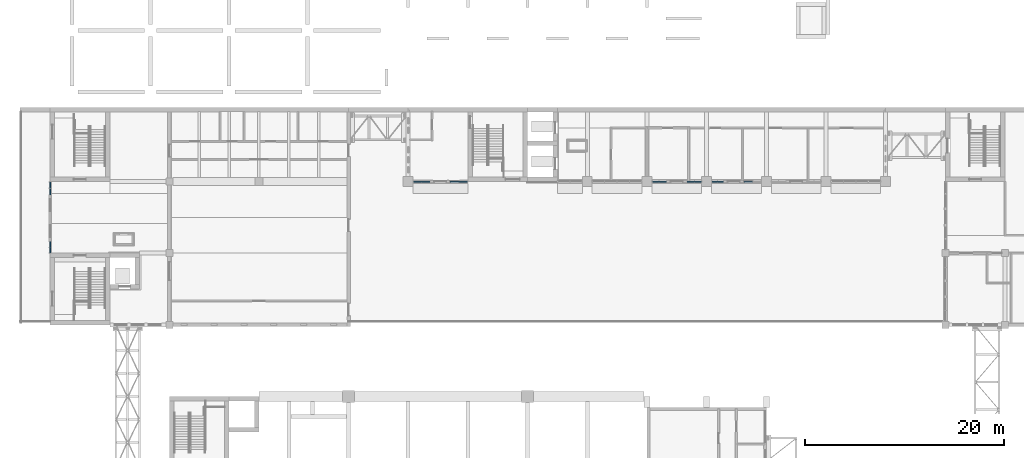
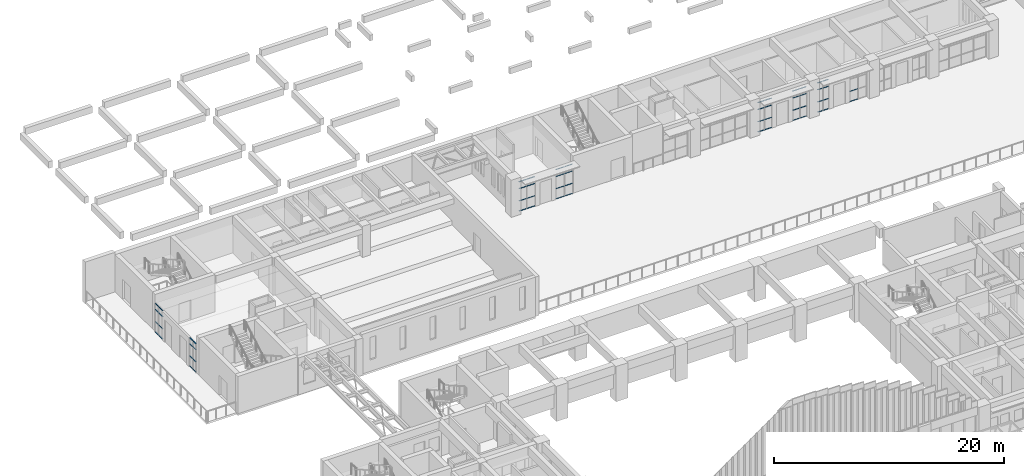
# One storey, part 44 of 103: 58 members, 8 elements without a shape of their own.
"""IFC4 building model written with IfcOpenShell, lengths in metres."""

from ifc_helpers import new_model, si_unit, direction, frame, origin, origin_2d, place, context, subcontext, project, spatial, hollow_rectangle, extrude, material, material_profile, profile_set, type_object, element, aggregate, save


model = new_model("IFC4")

# Units and contexts
model_context = context("Model", 3, precision=1e-05, world=origin(), true_north=direction((0.0, 1.0)))
body_context = subcontext(model_context, "Body", "Model", "MODEL_VIEW")
ifc_project = project(units=[si_unit("LENGTHUNIT", "METRE"), si_unit("AREAUNIT", "SQUARE_METRE"), si_unit("VOLUMEUNIT", "CUBIC_METRE"), si_unit("PLANEANGLEUNIT", "RADIAN"), si_unit("MASSUNIT", "GRAM", prefix="KILO")], contexts=[model_context])

# Site, building, storey
site_placement = place(None, origin())
site = spatial("IfcSite", under=ifc_project, at=site_placement, CompositionType="ELEMENT")
building_placement = place(site_placement, origin())
building = spatial("IfcBuilding", under=site, at=building_placement, Name="Laocheng Heights Fire and Rescue Headquarters", CompositionType="ELEMENT")
storey_placement = place(building_placement, frame((0.0, 0.0, 4.199951171875)))
storey = spatial("IfcBuildingStorey", under=building, at=storey_placement, Name="L01", CompositionType="ELEMENT", Elevation=4.199951171875)

# Curtain wall, members
ifc_material_1 = material(Name="Dark anodised aluminium unitised curtain wall, low-e double glazing", Category="aluminium")
curtain_wall_type_1 = type_object("IfcCurtainWallType", Name="CW 1150 x 3050 FOYER GLAZING", PredefinedType="NOTDEFINED", material=ifc_material_1)
curtain_wall_1_placement = place(storey_placement, origin())
curtain_wall_1 = element("IfcCurtainWall", 1, at=curtain_wall_1_placement, inside=storey, type_object=curtain_wall_type_1, Name="X1-V FOYER WEST L01", PredefinedType="NOTDEFINED")
ifc_material_2 = material(Name="Dark anodised aluminium 6063-T5 extrusion", Category="aluminium")
ifc_material_profile_1 = material_profile(ifc_material_2, hollow_rectangle(XDim=0.10009765625, YDim=0.050048828125, WallThickness=0.0029296875, at=origin_2d()), Name="AL TRANSOM 100x50x3 FOYER GLAZING")
ifc_profile_set_1 = profile_set([ifc_material_profile_1], Name="Dark anodised aluminium 6063-T5 extrusion")
member_type_1 = type_object("IfcMemberType", Name="AL TRANSOM 100x50x3 FOYER GLAZING", PredefinedType="USERDEFINED", material=ifc_profile_set_1)
member_1_placement = place(storey_placement, frame((0.0, 43.260009765625, 0.025146484375), z_axis=(0.0, 1.0, 0.0), x_axis=(-1.0, 0.0, 0.0)))
member_1 = element("IfcMember", 2, at=member_1_placement, type_object=member_type_1, Name="X1-V transom 1.1", ObjectType="TRANSOM", PredefinedType="USERDEFINED", context=body_context, shape_type="SweptSolid", body=[
    extrude(hollow_rectangle(XDim=0.10009765625, YDim=0.050048828125, WallThickness=0.0029296875, at=origin_2d()), origin(), (0.0, 0.0, 1.0), 0.485107421875),
])
member_2_placement = place(storey_placement, frame((0.0, 43.260009765625, 1.10009765625), z_axis=(0.0, 1.0, 0.0), x_axis=(-1.0, 0.0, 0.0)))
member_2 = element("IfcMember", 3, at=member_2_placement, type_object=member_type_1, Name="X1-V transom 1.2", ObjectType="TRANSOM", PredefinedType="USERDEFINED", context=body_context, shape_type="SweptSolid", body=[
    extrude(hollow_rectangle(XDim=0.10009765625, YDim=0.050048828125, WallThickness=0.0029296875, at=origin_2d()), origin(), (0.0, 0.0, 1.0), 0.485107421875),
])
member_3_placement = place(storey_placement, frame((0.0, 43.260009765625, 2.400146484375), z_axis=(0.0, 1.0, 0.0), x_axis=(-1.0, 0.0, 0.0)))
member_3 = element("IfcMember", 4, at=member_3_placement, type_object=member_type_1, Name="X1-V transom 1.3", ObjectType="TRANSOM", PredefinedType="USERDEFINED", context=body_context, shape_type="SweptSolid", body=[
    extrude(hollow_rectangle(XDim=0.10009765625, YDim=0.050048828125, WallThickness=0.0029296875, at=origin_2d()), origin(), (0.0, 0.0, 1.0), 0.485107421875),
])
member_4_placement = place(storey_placement, frame((0.0, 43.260009765625, 3.025146484375), z_axis=(0.0, 1.0, 0.0), x_axis=(-1.0, 0.0, 0.0)))
member_4 = element("IfcMember", 5, at=member_4_placement, type_object=member_type_1, Name="X1-V transom 1.4", ObjectType="TRANSOM", PredefinedType="USERDEFINED", context=body_context, shape_type="SweptSolid", body=[
    extrude(hollow_rectangle(XDim=0.10009765625, YDim=0.050048828125, WallThickness=0.0029296875, at=origin_2d()), origin(), (0.0, 0.0, 1.0), 0.485107421875),
])
member_5_placement = place(storey_placement, frame((0.0, 43.804931640625, 0.025146484375), z_axis=(0.0, 1.0, 0.0), x_axis=(-1.0, 0.0, 0.0)))
member_5 = element("IfcMember", 6, at=member_5_placement, type_object=member_type_1, Name="X1-V transom 2.1", ObjectType="TRANSOM", PredefinedType="USERDEFINED", context=body_context, shape_type="SweptSolid", body=[
    extrude(hollow_rectangle(XDim=0.10009765625, YDim=0.050048828125, WallThickness=0.0029296875, at=origin_2d()), origin(), (0.0, 0.0, 1.0), 0.545166015625),
])
member_6_placement = place(storey_placement, frame((0.0, 43.804931640625, 1.10009765625), z_axis=(0.0, 1.0, 0.0), x_axis=(-1.0, 0.0, 0.0)))
member_6 = element("IfcMember", 7, at=member_6_placement, type_object=member_type_1, Name="X1-V transom 2.2", ObjectType="TRANSOM", PredefinedType="USERDEFINED", context=body_context, shape_type="SweptSolid", body=[
    extrude(hollow_rectangle(XDim=0.10009765625, YDim=0.050048828125, WallThickness=0.0029296875, at=origin_2d()), origin(), (0.0, 0.0, 1.0), 0.545166015625),
])
member_7_placement = place(storey_placement, frame((0.0, 43.804931640625, 2.400146484375), z_axis=(0.0, 1.0, 0.0), x_axis=(-1.0, 0.0, 0.0)))
member_7 = element("IfcMember", 8, at=member_7_placement, type_object=member_type_1, Name="X1-V transom 2.3", ObjectType="TRANSOM", PredefinedType="USERDEFINED", context=body_context, shape_type="SweptSolid", body=[
    extrude(hollow_rectangle(XDim=0.10009765625, YDim=0.050048828125, WallThickness=0.0029296875, at=origin_2d()), origin(), (0.0, 0.0, 1.0), 0.545166015625),
])
member_8_placement = place(storey_placement, frame((0.0, 43.804931640625, 3.025146484375), z_axis=(0.0, 1.0, 0.0), x_axis=(-1.0, 0.0, 0.0)))
member_8 = element("IfcMember", 9, at=member_8_placement, type_object=member_type_1, Name="X1-V transom 2.4", ObjectType="TRANSOM", PredefinedType="USERDEFINED", context=body_context, shape_type="SweptSolid", body=[
    extrude(hollow_rectangle(XDim=0.10009765625, YDim=0.050048828125, WallThickness=0.0029296875, at=origin_2d()), origin(), (0.0, 0.0, 1.0), 0.545166015625),
])
aggregate(curtain_wall_1, [member_1, member_2, member_3, member_4, member_5, member_6, member_7, member_8])

ifc_material_3 = material(Name="Dark anodised aluminium unitised curtain wall, low-e double glazing", Category="aluminium")
curtain_wall_type_2 = type_object("IfcCurtainWallType", Name="CW 1350 x 3050 FOYER GLAZING", PredefinedType="NOTDEFINED", material=ifc_material_3)
curtain_wall_2_placement = place(storey_placement, origin())
curtain_wall_2 = element("IfcCurtainWall", 10, at=curtain_wall_2_placement, inside=storey, type_object=curtain_wall_type_2, Name="X2-V FOYER WEST L01", PredefinedType="NOTDEFINED")
member_9_placement = place(storey_placement, frame((0.0, 49.050048828125, 0.025146484375), z_axis=(0.0, 1.0, 0.0), x_axis=(-1.0, 0.0, 0.0)))
member_9 = element("IfcMember", 11, at=member_9_placement, type_object=member_type_1, Name="X2-V transom 1.1", ObjectType="TRANSOM", PredefinedType="USERDEFINED", context=body_context, shape_type="SweptSolid", body=[
    extrude(hollow_rectangle(XDim=0.10009765625, YDim=0.050048828125, WallThickness=0.0029296875, at=origin_2d()), origin(), (0.0, 0.0, 1.0), 0.64501953125),
])
member_10_placement = place(storey_placement, frame((0.0, 49.050048828125, 1.10009765625), z_axis=(0.0, 1.0, 0.0), x_axis=(-1.0, 0.0, 0.0)))
member_10 = element("IfcMember", 12, at=member_10_placement, type_object=member_type_1, Name="X2-V transom 1.2", ObjectType="TRANSOM", PredefinedType="USERDEFINED", context=body_context, shape_type="SweptSolid", body=[
    extrude(hollow_rectangle(XDim=0.10009765625, YDim=0.050048828125, WallThickness=0.0029296875, at=origin_2d()), origin(), (0.0, 0.0, 1.0), 0.64501953125),
])
member_11_placement = place(storey_placement, frame((0.0, 49.050048828125, 2.400146484375), z_axis=(0.0, 1.0, 0.0), x_axis=(-1.0, 0.0, 0.0)))
member_11 = element("IfcMember", 13, at=member_11_placement, type_object=member_type_1, Name="X2-V transom 1.3", ObjectType="TRANSOM", PredefinedType="USERDEFINED", context=body_context, shape_type="SweptSolid", body=[
    extrude(hollow_rectangle(XDim=0.10009765625, YDim=0.050048828125, WallThickness=0.0029296875, at=origin_2d()), origin(), (0.0, 0.0, 1.0), 0.64501953125),
])
member_12_placement = place(storey_placement, frame((0.0, 49.050048828125, 3.025146484375), z_axis=(0.0, 1.0, 0.0), x_axis=(-1.0, 0.0, 0.0)))
member_12 = element("IfcMember", 14, at=member_12_placement, type_object=member_type_1, Name="X2-V transom 1.4", ObjectType="TRANSOM", PredefinedType="USERDEFINED", context=body_context, shape_type="SweptSolid", body=[
    extrude(hollow_rectangle(XDim=0.10009765625, YDim=0.050048828125, WallThickness=0.0029296875, at=origin_2d()), origin(), (0.0, 0.0, 1.0), 0.64501953125),
])
member_13_placement = place(storey_placement, frame((0.0, 49.7548828125, 0.025146484375), z_axis=(0.0, 1.0, 0.0), x_axis=(-1.0, 0.0, 0.0)))
member_13 = element("IfcMember", 15, at=member_13_placement, type_object=member_type_1, Name="X2-V transom 2.1", ObjectType="TRANSOM", PredefinedType="USERDEFINED", context=body_context, shape_type="SweptSolid", body=[
    extrude(hollow_rectangle(XDim=0.10009765625, YDim=0.050048828125, WallThickness=0.0029296875, at=origin_2d()), origin(), (0.0, 0.0, 1.0), 0.585205078125),
])
member_14_placement = place(storey_placement, frame((0.0, 49.7548828125, 1.10009765625), z_axis=(0.0, 1.0, 0.0), x_axis=(-1.0, 0.0, 0.0)))
member_14 = element("IfcMember", 16, at=member_14_placement, type_object=member_type_1, Name="X2-V transom 2.2", ObjectType="TRANSOM", PredefinedType="USERDEFINED", context=body_context, shape_type="SweptSolid", body=[
    extrude(hollow_rectangle(XDim=0.10009765625, YDim=0.050048828125, WallThickness=0.0029296875, at=origin_2d()), origin(), (0.0, 0.0, 1.0), 0.585205078125),
])
member_15_placement = place(storey_placement, frame((0.0, 49.7548828125, 2.400146484375), z_axis=(0.0, 1.0, 0.0), x_axis=(-1.0, 0.0, 0.0)))
member_15 = element("IfcMember", 17, at=member_15_placement, type_object=member_type_1, Name="X2-V transom 2.3", ObjectType="TRANSOM", PredefinedType="USERDEFINED", context=body_context, shape_type="SweptSolid", body=[
    extrude(hollow_rectangle(XDim=0.10009765625, YDim=0.050048828125, WallThickness=0.0029296875, at=origin_2d()), origin(), (0.0, 0.0, 1.0), 0.585205078125),
])
member_16_placement = place(storey_placement, frame((0.0, 49.7548828125, 3.025146484375), z_axis=(0.0, 1.0, 0.0), x_axis=(-1.0, 0.0, 0.0)))
member_16 = element("IfcMember", 18, at=member_16_placement, type_object=member_type_1, Name="X2-V transom 2.4", ObjectType="TRANSOM", PredefinedType="USERDEFINED", context=body_context, shape_type="SweptSolid", body=[
    extrude(hollow_rectangle(XDim=0.10009765625, YDim=0.050048828125, WallThickness=0.0029296875, at=origin_2d()), origin(), (0.0, 0.0, 1.0), 0.585205078125),
])
aggregate(curtain_wall_2, [member_9, member_10, member_11, member_12, member_13, member_14, member_15, member_16])

ifc_material_4 = material(Name="Dark anodised aluminium unitised curtain wall, low-e double glazing", Category="aluminium")
curtain_wall_type_3 = type_object("IfcCurtainWallType", Name="CW 1650 x 3150 HQ SOUTH RIBBON", PredefinedType="NOTDEFINED", material=ifc_material_4)
curtain_wall_3_placement = place(storey_placement, origin())
curtain_wall_3 = element("IfcCurtainWall", 19, at=curtain_wall_3_placement, inside=storey, type_object=curtain_wall_type_3, Name="X1-X HQ SOUTH L01", PredefinedType="NOTDEFINED")
ifc_material_5 = material(Name="Dark anodised aluminium 6063-T5 extrusion", Category="aluminium")
ifc_material_profile_2 = material_profile(ifc_material_5, hollow_rectangle(XDim=0.10009765625, YDim=0.050048828125, WallThickness=0.0029296875, at=origin_2d()), Name="AL TRANSOM 100x50x3 HQ SOUTH RIBBON")
ifc_profile_set_2 = profile_set([ifc_material_profile_2], Name="Dark anodised aluminium 6063-T5 extrusion")
member_type_2 = type_object("IfcMemberType", Name="AL TRANSOM 100x50x3 HQ SOUTH RIBBON", PredefinedType="USERDEFINED", material=ifc_profile_set_2)
member_17_placement = place(storey_placement, frame((36.56005859375, 50.39990234375, 0.025146484375), z_axis=(1.0, 0.0, 0.0), x_axis=(0.0, 1.0, 0.0)))
member_17 = element("IfcMember", 20, at=member_17_placement, type_object=member_type_2, Name="X1-X transom 1.1", ObjectType="TRANSOM", PredefinedType="USERDEFINED", context=body_context, shape_type="SweptSolid", body=[
    extrude(hollow_rectangle(XDim=0.10009765625, YDim=0.050048828125, WallThickness=0.0029296875, at=origin_2d()), origin(), (0.0, 0.0, 1.0), 0.73486328125),
])
member_18_placement = place(storey_placement, frame((36.56005859375, 50.39990234375, 1.10009765625), z_axis=(1.0, 0.0, 0.0), x_axis=(0.0, 1.0, 0.0)))
member_18 = element("IfcMember", 21, at=member_18_placement, type_object=member_type_2, Name="X1-X transom 1.2", ObjectType="TRANSOM", PredefinedType="USERDEFINED", context=body_context, shape_type="SweptSolid", body=[
    extrude(hollow_rectangle(XDim=0.10009765625, YDim=0.050048828125, WallThickness=0.0029296875, at=origin_2d()), origin(), (0.0, 0.0, 1.0), 0.73486328125),
])
member_19_placement = place(storey_placement, frame((36.56005859375, 50.39990234375, 2.400146484375), z_axis=(1.0, 0.0, 0.0), x_axis=(0.0, 1.0, 0.0)))
member_19 = element("IfcMember", 22, at=member_19_placement, type_object=member_type_2, Name="X1-X transom 1.3", ObjectType="TRANSOM", PredefinedType="USERDEFINED", context=body_context, shape_type="SweptSolid", body=[
    extrude(hollow_rectangle(XDim=0.10009765625, YDim=0.050048828125, WallThickness=0.0029296875, at=origin_2d()), origin(), (0.0, 0.0, 1.0), 0.73486328125),
])
member_20_placement = place(storey_placement, frame((36.56005859375, 50.39990234375, 3.125), z_axis=(1.0, 0.0, 0.0), x_axis=(0.0, 1.0, 0.0)))
member_20 = element("IfcMember", 23, at=member_20_placement, type_object=member_type_2, Name="X1-X transom 1.4", ObjectType="TRANSOM", PredefinedType="USERDEFINED", context=body_context, shape_type="SweptSolid", body=[
    extrude(hollow_rectangle(XDim=0.10009765625, YDim=0.050048828125, WallThickness=0.0029296875, at=origin_2d()), origin(), (0.0, 0.0, 1.0), 0.73486328125),
])
member_21_placement = place(storey_placement, frame((37.35498046875, 50.39990234375, 0.025146484375), z_axis=(1.0, 0.0, 0.0), x_axis=(0.0, 1.0, 0.0)))
member_21 = element("IfcMember", 24, at=member_21_placement, type_object=member_type_2, Name="X1-X transom 2.1", ObjectType="TRANSOM", PredefinedType="USERDEFINED", context=body_context, shape_type="SweptSolid", body=[
    extrude(hollow_rectangle(XDim=0.10009765625, YDim=0.050048828125, WallThickness=0.0029296875, at=origin_2d()), origin(), (0.0, 0.0, 1.0), 0.794921875),
])
member_22_placement = place(storey_placement, frame((37.35498046875, 50.39990234375, 1.10009765625), z_axis=(1.0, 0.0, 0.0), x_axis=(0.0, 1.0, 0.0)))
member_22 = element("IfcMember", 25, at=member_22_placement, type_object=member_type_2, Name="X1-X transom 2.2", ObjectType="TRANSOM", PredefinedType="USERDEFINED", context=body_context, shape_type="SweptSolid", body=[
    extrude(hollow_rectangle(XDim=0.10009765625, YDim=0.050048828125, WallThickness=0.0029296875, at=origin_2d()), origin(), (0.0, 0.0, 1.0), 0.794921875),
])
member_23_placement = place(storey_placement, frame((37.35498046875, 50.39990234375, 2.400146484375), z_axis=(1.0, 0.0, 0.0), x_axis=(0.0, 1.0, 0.0)))
member_23 = element("IfcMember", 26, at=member_23_placement, type_object=member_type_2, Name="X1-X transom 2.3", ObjectType="TRANSOM", PredefinedType="USERDEFINED", context=body_context, shape_type="SweptSolid", body=[
    extrude(hollow_rectangle(XDim=0.10009765625, YDim=0.050048828125, WallThickness=0.0029296875, at=origin_2d()), origin(), (0.0, 0.0, 1.0), 0.794921875),
])
member_24_placement = place(storey_placement, frame((37.35498046875, 50.39990234375, 3.125), z_axis=(1.0, 0.0, 0.0), x_axis=(0.0, 1.0, 0.0)))
member_24 = element("IfcMember", 27, at=member_24_placement, type_object=member_type_2, Name="X1-X transom 2.4", ObjectType="TRANSOM", PredefinedType="USERDEFINED", context=body_context, shape_type="SweptSolid", body=[
    extrude(hollow_rectangle(XDim=0.10009765625, YDim=0.050048828125, WallThickness=0.0029296875, at=origin_2d()), origin(), (0.0, 0.0, 1.0), 0.794921875),
])
aggregate(curtain_wall_3, [member_17, member_18, member_19, member_20, member_21, member_22, member_23, member_24])

ifc_material_6 = material(Name="Dark anodised aluminium unitised curtain wall, low-e double glazing", Category="aluminium")
curtain_wall_type_4 = type_object("IfcCurtainWallType", Name="CW 1750 x 3150 HQ SOUTH RIBBON", PredefinedType="NOTDEFINED", material=ifc_material_6)
curtain_wall_4_placement = place(storey_placement, origin())
curtain_wall_4 = element("IfcCurtainWall", 28, at=curtain_wall_4_placement, inside=storey, type_object=curtain_wall_type_4, Name="X2-X HQ SOUTH L01", PredefinedType="NOTDEFINED")
member_25_placement = place(storey_placement, frame((40.25, 50.39990234375, 0.025146484375), z_axis=(1.0, 0.0, 0.0), x_axis=(0.0, 1.0, 0.0)))
member_25 = element("IfcMember", 29, at=member_25_placement, type_object=member_type_2, Name="X2-X transom 1.1", ObjectType="TRANSOM", PredefinedType="USERDEFINED", context=body_context, shape_type="SweptSolid", body=[
    extrude(hollow_rectangle(XDim=0.10009765625, YDim=0.050048828125, WallThickness=0.0029296875, at=origin_2d()), origin(), (0.0, 0.0, 1.0), 0.844970703125),
])
member_26_placement = place(storey_placement, frame((40.25, 50.39990234375, 1.10009765625), z_axis=(1.0, 0.0, 0.0), x_axis=(0.0, 1.0, 0.0)))
member_26 = element("IfcMember", 30, at=member_26_placement, type_object=member_type_2, Name="X2-X transom 1.2", ObjectType="TRANSOM", PredefinedType="USERDEFINED", context=body_context, shape_type="SweptSolid", body=[
    extrude(hollow_rectangle(XDim=0.10009765625, YDim=0.050048828125, WallThickness=0.0029296875, at=origin_2d()), origin(), (0.0, 0.0, 1.0), 0.844970703125),
])
member_27_placement = place(storey_placement, frame((40.25, 50.39990234375, 2.400146484375), z_axis=(1.0, 0.0, 0.0), x_axis=(0.0, 1.0, 0.0)))
member_27 = element("IfcMember", 31, at=member_27_placement, type_object=member_type_2, Name="X2-X transom 1.3", ObjectType="TRANSOM", PredefinedType="USERDEFINED", context=body_context, shape_type="SweptSolid", body=[
    extrude(hollow_rectangle(XDim=0.10009765625, YDim=0.050048828125, WallThickness=0.0029296875, at=origin_2d()), origin(), (0.0, 0.0, 1.0), 0.844970703125),
])
member_28_placement = place(storey_placement, frame((40.25, 50.39990234375, 3.125), z_axis=(1.0, 0.0, 0.0), x_axis=(0.0, 1.0, 0.0)))
member_28 = element("IfcMember", 32, at=member_28_placement, type_object=member_type_2, Name="X2-X transom 1.4", ObjectType="TRANSOM", PredefinedType="USERDEFINED", context=body_context, shape_type="SweptSolid", body=[
    extrude(hollow_rectangle(XDim=0.10009765625, YDim=0.050048828125, WallThickness=0.0029296875, at=origin_2d()), origin(), (0.0, 0.0, 1.0), 0.844970703125),
])
member_29_placement = place(storey_placement, frame((41.155029296875, 50.39990234375, 0.025146484375), z_axis=(1.0, 0.0, 0.0), x_axis=(0.0, 1.0, 0.0)))
member_29 = element("IfcMember", 33, at=member_29_placement, type_object=member_type_2, Name="X2-X transom 2.1", ObjectType="TRANSOM", PredefinedType="USERDEFINED", context=body_context, shape_type="SweptSolid", body=[
    extrude(hollow_rectangle(XDim=0.10009765625, YDim=0.050048828125, WallThickness=0.0029296875, at=origin_2d()), origin(), (0.0, 0.0, 1.0), 0.784912109375),
])
member_30_placement = place(storey_placement, frame((41.155029296875, 50.39990234375, 1.10009765625), z_axis=(1.0, 0.0, 0.0), x_axis=(0.0, 1.0, 0.0)))
member_30 = element("IfcMember", 34, at=member_30_placement, type_object=member_type_2, Name="X2-X transom 2.2", ObjectType="TRANSOM", PredefinedType="USERDEFINED", context=body_context, shape_type="SweptSolid", body=[
    extrude(hollow_rectangle(XDim=0.10009765625, YDim=0.050048828125, WallThickness=0.0029296875, at=origin_2d()), origin(), (0.0, 0.0, 1.0), 0.784912109375),
])
member_31_placement = place(storey_placement, frame((41.155029296875, 50.39990234375, 2.400146484375), z_axis=(1.0, 0.0, 0.0), x_axis=(0.0, 1.0, 0.0)))
member_31 = element("IfcMember", 35, at=member_31_placement, type_object=member_type_2, Name="X2-X transom 2.3", ObjectType="TRANSOM", PredefinedType="USERDEFINED", context=body_context, shape_type="SweptSolid", body=[
    extrude(hollow_rectangle(XDim=0.10009765625, YDim=0.050048828125, WallThickness=0.0029296875, at=origin_2d()), origin(), (0.0, 0.0, 1.0), 0.784912109375),
])
member_32_placement = place(storey_placement, frame((41.155029296875, 50.39990234375, 3.125), z_axis=(1.0, 0.0, 0.0), x_axis=(0.0, 1.0, 0.0)))
member_32 = element("IfcMember", 36, at=member_32_placement, type_object=member_type_2, Name="X2-X transom 2.4", ObjectType="TRANSOM", PredefinedType="USERDEFINED", context=body_context, shape_type="SweptSolid", body=[
    extrude(hollow_rectangle(XDim=0.10009765625, YDim=0.050048828125, WallThickness=0.0029296875, at=origin_2d()), origin(), (0.0, 0.0, 1.0), 0.784912109375),
])
aggregate(curtain_wall_4, [member_25, member_26, member_27, member_28, member_29, member_30, member_31, member_32])

ifc_material_7 = material(Name="Dark anodised aluminium unitised curtain wall, low-e double glazing", Category="aluminium")
curtain_wall_type_5 = type_object("IfcCurtainWallType", Name="CW 1450 x 3150 HQ SOUTH RIBBON", PredefinedType="NOTDEFINED", material=ifc_material_7)
curtain_wall_5_placement = place(storey_placement, origin())
curtain_wall_5 = element("IfcCurtainWall", 37, at=curtain_wall_5_placement, inside=storey, type_object=curtain_wall_type_5, Name="X5-X HQ SOUTH L01", PredefinedType="NOTDEFINED")
member_33_placement = place(storey_placement, frame((60.56005859375, 50.39990234375, 0.025146484375), z_axis=(1.0, 0.0, 0.0), x_axis=(0.0, 1.0, 0.0)))
member_33 = element("IfcMember", 38, at=member_33_placement, type_object=member_type_2, Name="X5-X transom 1.1", ObjectType="TRANSOM", PredefinedType="USERDEFINED", context=body_context, shape_type="SweptSolid", body=[
    extrude(hollow_rectangle(XDim=0.10009765625, YDim=0.050048828125, WallThickness=0.0029296875, at=origin_2d()), origin(), (0.0, 0.0, 1.0), 0.635009765625),
])
member_34_placement = place(storey_placement, frame((60.56005859375, 50.39990234375, 1.10009765625), z_axis=(1.0, 0.0, 0.0), x_axis=(0.0, 1.0, 0.0)))
member_34 = element("IfcMember", 39, at=member_34_placement, type_object=member_type_2, Name="X5-X transom 1.2", ObjectType="TRANSOM", PredefinedType="USERDEFINED", context=body_context, shape_type="SweptSolid", body=[
    extrude(hollow_rectangle(XDim=0.10009765625, YDim=0.050048828125, WallThickness=0.0029296875, at=origin_2d()), origin(), (0.0, 0.0, 1.0), 0.635009765625),
])
member_35_placement = place(storey_placement, frame((60.56005859375, 50.39990234375, 2.400146484375), z_axis=(1.0, 0.0, 0.0), x_axis=(0.0, 1.0, 0.0)))
member_35 = element("IfcMember", 40, at=member_35_placement, type_object=member_type_2, Name="X5-X transom 1.3", ObjectType="TRANSOM", PredefinedType="USERDEFINED", context=body_context, shape_type="SweptSolid", body=[
    extrude(hollow_rectangle(XDim=0.10009765625, YDim=0.050048828125, WallThickness=0.0029296875, at=origin_2d()), origin(), (0.0, 0.0, 1.0), 0.635009765625),
])
member_36_placement = place(storey_placement, frame((60.56005859375, 50.39990234375, 3.125), z_axis=(1.0, 0.0, 0.0), x_axis=(0.0, 1.0, 0.0)))
member_36 = element("IfcMember", 41, at=member_36_placement, type_object=member_type_2, Name="X5-X transom 1.4", ObjectType="TRANSOM", PredefinedType="USERDEFINED", context=body_context, shape_type="SweptSolid", body=[
    extrude(hollow_rectangle(XDim=0.10009765625, YDim=0.050048828125, WallThickness=0.0029296875, at=origin_2d()), origin(), (0.0, 0.0, 1.0), 0.635009765625),
])
member_37_placement = place(storey_placement, frame((61.2548828125, 50.39990234375, 0.025146484375), z_axis=(1.0, 0.0, 0.0), x_axis=(0.0, 1.0, 0.0)))
member_37 = element("IfcMember", 42, at=member_37_placement, type_object=member_type_2, Name="X5-X transom 2.1", ObjectType="TRANSOM", PredefinedType="USERDEFINED", context=body_context, shape_type="SweptSolid", body=[
    extrude(hollow_rectangle(XDim=0.10009765625, YDim=0.050048828125, WallThickness=0.0029296875, at=origin_2d()), origin(), (0.0, 0.0, 1.0), 0.695068359375),
])
member_38_placement = place(storey_placement, frame((61.2548828125, 50.39990234375, 1.10009765625), z_axis=(1.0, 0.0, 0.0), x_axis=(0.0, 1.0, 0.0)))
member_38 = element("IfcMember", 43, at=member_38_placement, type_object=member_type_2, Name="X5-X transom 2.2", ObjectType="TRANSOM", PredefinedType="USERDEFINED", context=body_context, shape_type="SweptSolid", body=[
    extrude(hollow_rectangle(XDim=0.10009765625, YDim=0.050048828125, WallThickness=0.0029296875, at=origin_2d()), origin(), (0.0, 0.0, 1.0), 0.695068359375),
])
member_39_placement = place(storey_placement, frame((61.2548828125, 50.39990234375, 2.400146484375), z_axis=(1.0, 0.0, 0.0), x_axis=(0.0, 1.0, 0.0)))
member_39 = element("IfcMember", 44, at=member_39_placement, type_object=member_type_2, Name="X5-X transom 2.3", ObjectType="TRANSOM", PredefinedType="USERDEFINED", context=body_context, shape_type="SweptSolid", body=[
    extrude(hollow_rectangle(XDim=0.10009765625, YDim=0.050048828125, WallThickness=0.0029296875, at=origin_2d()), origin(), (0.0, 0.0, 1.0), 0.695068359375),
])
member_40_placement = place(storey_placement, frame((61.2548828125, 50.39990234375, 3.125), z_axis=(1.0, 0.0, 0.0), x_axis=(0.0, 1.0, 0.0)))
member_40 = element("IfcMember", 45, at=member_40_placement, type_object=member_type_2, Name="X5-X transom 2.4", ObjectType="TRANSOM", PredefinedType="USERDEFINED", context=body_context, shape_type="SweptSolid", body=[
    extrude(hollow_rectangle(XDim=0.10009765625, YDim=0.050048828125, WallThickness=0.0029296875, at=origin_2d()), origin(), (0.0, 0.0, 1.0), 0.695068359375),
])
aggregate(curtain_wall_5, [member_33, member_34, member_35, member_36, member_37, member_38, member_39, member_40])

curtain_wall_6_placement = place(storey_placement, origin())
curtain_wall_6 = element("IfcCurtainWall", 46, at=curtain_wall_6_placement, inside=storey, type_object=curtain_wall_type_5, Name="X5-X HQ SOUTH L01", PredefinedType="NOTDEFINED")
member_41_placement = place(storey_placement, frame((64.050048828125, 50.39990234375, 0.025146484375), z_axis=(1.0, 0.0, 0.0), x_axis=(0.0, 1.0, 0.0)))
member_41 = element("IfcMember", 47, at=member_41_placement, type_object=member_type_2, Name="X5-X transom 1.1", ObjectType="TRANSOM", PredefinedType="USERDEFINED", context=body_context, shape_type="SweptSolid", body=[
    extrude(hollow_rectangle(XDim=0.10009765625, YDim=0.050048828125, WallThickness=0.0029296875, at=origin_2d()), origin(), (0.0, 0.0, 1.0), 0.695068359375),
])
member_42_placement = place(storey_placement, frame((64.050048828125, 50.39990234375, 1.10009765625), z_axis=(1.0, 0.0, 0.0), x_axis=(0.0, 1.0, 0.0)))
member_42 = element("IfcMember", 48, at=member_42_placement, type_object=member_type_2, Name="X5-X transom 1.2", ObjectType="TRANSOM", PredefinedType="USERDEFINED", context=body_context, shape_type="SweptSolid", body=[
    extrude(hollow_rectangle(XDim=0.10009765625, YDim=0.050048828125, WallThickness=0.0029296875, at=origin_2d()), origin(), (0.0, 0.0, 1.0), 0.695068359375),
])
member_43_placement = place(storey_placement, frame((64.050048828125, 50.39990234375, 2.400146484375), z_axis=(1.0, 0.0, 0.0), x_axis=(0.0, 1.0, 0.0)))
member_43 = element("IfcMember", 49, at=member_43_placement, type_object=member_type_2, Name="X5-X transom 1.3", ObjectType="TRANSOM", PredefinedType="USERDEFINED", context=body_context, shape_type="SweptSolid", body=[
    extrude(hollow_rectangle(XDim=0.10009765625, YDim=0.050048828125, WallThickness=0.0029296875, at=origin_2d()), origin(), (0.0, 0.0, 1.0), 0.695068359375),
])
member_44_placement = place(storey_placement, frame((64.050048828125, 50.39990234375, 3.125), z_axis=(1.0, 0.0, 0.0), x_axis=(0.0, 1.0, 0.0)))
member_44 = element("IfcMember", 50, at=member_44_placement, type_object=member_type_2, Name="X5-X transom 1.4", ObjectType="TRANSOM", PredefinedType="USERDEFINED", context=body_context, shape_type="SweptSolid", body=[
    extrude(hollow_rectangle(XDim=0.10009765625, YDim=0.050048828125, WallThickness=0.0029296875, at=origin_2d()), origin(), (0.0, 0.0, 1.0), 0.695068359375),
])
member_45_placement = place(storey_placement, frame((64.804931640625, 50.39990234375, 0.025146484375), z_axis=(1.0, 0.0, 0.0), x_axis=(0.0, 1.0, 0.0)))
member_45 = element("IfcMember", 51, at=member_45_placement, type_object=member_type_2, Name="X5-X transom 2.1", ObjectType="TRANSOM", PredefinedType="USERDEFINED", context=body_context, shape_type="SweptSolid", body=[
    extrude(hollow_rectangle(XDim=0.10009765625, YDim=0.050048828125, WallThickness=0.0029296875, at=origin_2d()), origin(), (0.0, 0.0, 1.0), 0.635009765625),
])
member_46_placement = place(storey_placement, frame((64.804931640625, 50.39990234375, 1.10009765625), z_axis=(1.0, 0.0, 0.0), x_axis=(0.0, 1.0, 0.0)))
member_46 = element("IfcMember", 52, at=member_46_placement, type_object=member_type_2, Name="X5-X transom 2.2", ObjectType="TRANSOM", PredefinedType="USERDEFINED", context=body_context, shape_type="SweptSolid", body=[
    extrude(hollow_rectangle(XDim=0.10009765625, YDim=0.050048828125, WallThickness=0.0029296875, at=origin_2d()), origin(), (0.0, 0.0, 1.0), 0.635009765625),
])
member_47_placement = place(storey_placement, frame((64.804931640625, 50.39990234375, 2.400146484375), z_axis=(1.0, 0.0, 0.0), x_axis=(0.0, 1.0, 0.0)))
member_47 = element("IfcMember", 53, at=member_47_placement, type_object=member_type_2, Name="X5-X transom 2.3", ObjectType="TRANSOM", PredefinedType="USERDEFINED", context=body_context, shape_type="SweptSolid", body=[
    extrude(hollow_rectangle(XDim=0.10009765625, YDim=0.050048828125, WallThickness=0.0029296875, at=origin_2d()), origin(), (0.0, 0.0, 1.0), 0.635009765625),
])
member_48_placement = place(storey_placement, frame((64.804931640625, 50.39990234375, 3.125), z_axis=(1.0, 0.0, 0.0), x_axis=(0.0, 1.0, 0.0)))
member_48 = element("IfcMember", 54, at=member_48_placement, type_object=member_type_2, Name="X5-X transom 2.4", ObjectType="TRANSOM", PredefinedType="USERDEFINED", context=body_context, shape_type="SweptSolid", body=[
    extrude(hollow_rectangle(XDim=0.10009765625, YDim=0.050048828125, WallThickness=0.0029296875, at=origin_2d()), origin(), (0.0, 0.0, 1.0), 0.635009765625),
])
aggregate(curtain_wall_6, [member_41, member_42, member_43, member_44, member_45, member_46, member_47, member_48])

ifc_material_8 = material(Name="Dark anodised aluminium unitised curtain wall, low-e double glazing", Category="aluminium")
curtain_wall_type_6 = type_object("IfcCurtainWallType", Name="CW 1170 x 3150 HQ SOUTH RIBBON", PredefinedType="NOTDEFINED", material=ifc_material_8)
curtain_wall_7_placement = place(storey_placement, origin())
curtain_wall_7 = element("IfcCurtainWall", 55, at=curtain_wall_7_placement, inside=storey, type_object=curtain_wall_type_6, Name="X6-X HQ SOUTH L01", PredefinedType="NOTDEFINED")
member_49_placement = place(storey_placement, frame((66.56005859375, 50.39990234375, 0.025146484375), z_axis=(1.0, 0.0, 0.0), x_axis=(0.0, 1.0, 0.0)))
member_49 = element("IfcMember", 56, at=member_49_placement, type_object=member_type_2, Name="X6-X transom 1.1", ObjectType="TRANSOM", PredefinedType="USERDEFINED", context=body_context, shape_type="SweptSolid", body=[
    extrude(hollow_rectangle(XDim=0.10009765625, YDim=0.050048828125, WallThickness=0.0029296875, at=origin_2d()), origin(), (0.0, 0.0, 1.0), 0.494873046875),
])
member_50_placement = place(storey_placement, frame((66.56005859375, 50.39990234375, 1.10009765625), z_axis=(1.0, 0.0, 0.0), x_axis=(0.0, 1.0, 0.0)))
member_50 = element("IfcMember", 57, at=member_50_placement, type_object=member_type_2, Name="X6-X transom 1.2", ObjectType="TRANSOM", PredefinedType="USERDEFINED", context=body_context, shape_type="SweptSolid", body=[
    extrude(hollow_rectangle(XDim=0.10009765625, YDim=0.050048828125, WallThickness=0.0029296875, at=origin_2d()), origin(), (0.0, 0.0, 1.0), 0.494873046875),
])
member_51_placement = place(storey_placement, frame((66.56005859375, 50.39990234375, 2.400146484375), z_axis=(1.0, 0.0, 0.0), x_axis=(0.0, 1.0, 0.0)))
member_51 = element("IfcMember", 58, at=member_51_placement, type_object=member_type_2, Name="X6-X transom 1.3", ObjectType="TRANSOM", PredefinedType="USERDEFINED", context=body_context, shape_type="SweptSolid", body=[
    extrude(hollow_rectangle(XDim=0.10009765625, YDim=0.050048828125, WallThickness=0.0029296875, at=origin_2d()), origin(), (0.0, 0.0, 1.0), 0.494873046875),
])
member_52_placement = place(storey_placement, frame((66.56005859375, 50.39990234375, 3.125), z_axis=(1.0, 0.0, 0.0), x_axis=(0.0, 1.0, 0.0)))
member_52 = element("IfcMember", 59, at=member_52_placement, type_object=member_type_2, Name="X6-X transom 1.4", ObjectType="TRANSOM", PredefinedType="USERDEFINED", context=body_context, shape_type="SweptSolid", body=[
    extrude(hollow_rectangle(XDim=0.10009765625, YDim=0.050048828125, WallThickness=0.0029296875, at=origin_2d()), origin(), (0.0, 0.0, 1.0), 0.494873046875),
])
member_53_placement = place(storey_placement, frame((67.114990234375, 50.39990234375, 0.025146484375), z_axis=(1.0, 0.0, 0.0), x_axis=(0.0, 1.0, 0.0)))
member_53 = element("IfcMember", 60, at=member_53_placement, type_object=member_type_2, Name="X6-X transom 2.1", ObjectType="TRANSOM", PredefinedType="USERDEFINED", context=body_context, shape_type="SweptSolid", body=[
    extrude(hollow_rectangle(XDim=0.10009765625, YDim=0.050048828125, WallThickness=0.0029296875, at=origin_2d()), origin(), (0.0, 0.0, 1.0), 0.554931640625),
])
member_54_placement = place(storey_placement, frame((67.114990234375, 50.39990234375, 1.10009765625), z_axis=(1.0, 0.0, 0.0), x_axis=(0.0, 1.0, 0.0)))
member_54 = element("IfcMember", 61, at=member_54_placement, type_object=member_type_2, Name="X6-X transom 2.2", ObjectType="TRANSOM", PredefinedType="USERDEFINED", context=body_context, shape_type="SweptSolid", body=[
    extrude(hollow_rectangle(XDim=0.10009765625, YDim=0.050048828125, WallThickness=0.0029296875, at=origin_2d()), origin(), (0.0, 0.0, 1.0), 0.554931640625),
])
member_55_placement = place(storey_placement, frame((67.114990234375, 50.39990234375, 2.400146484375), z_axis=(1.0, 0.0, 0.0), x_axis=(0.0, 1.0, 0.0)))
member_55 = element("IfcMember", 62, at=member_55_placement, type_object=member_type_2, Name="X6-X transom 2.3", ObjectType="TRANSOM", PredefinedType="USERDEFINED", context=body_context, shape_type="SweptSolid", body=[
    extrude(hollow_rectangle(XDim=0.10009765625, YDim=0.050048828125, WallThickness=0.0029296875, at=origin_2d()), origin(), (0.0, 0.0, 1.0), 0.554931640625),
])
member_56_placement = place(storey_placement, frame((67.114990234375, 50.39990234375, 3.125), z_axis=(1.0, 0.0, 0.0), x_axis=(0.0, 1.0, 0.0)))
member_56 = element("IfcMember", 63, at=member_56_placement, type_object=member_type_2, Name="X6-X transom 2.4", ObjectType="TRANSOM", PredefinedType="USERDEFINED", context=body_context, shape_type="SweptSolid", body=[
    extrude(hollow_rectangle(XDim=0.10009765625, YDim=0.050048828125, WallThickness=0.0029296875, at=origin_2d()), origin(), (0.0, 0.0, 1.0), 0.554931640625),
])
aggregate(curtain_wall_7, [member_49, member_50, member_51, member_52, member_53, member_54, member_55, member_56])

ifc_material_9 = material(Name="Dark anodised aluminium unitised curtain wall, low-e double glazing", Category="aluminium")
curtain_wall_type_7 = type_object("IfcCurtainWallType", Name="CW 1730 x 3150 HQ SOUTH RIBBON", PredefinedType="NOTDEFINED", material=ifc_material_9)
curtain_wall_8_placement = place(storey_placement, origin())
curtain_wall_8 = element("IfcCurtainWall", 64, at=curtain_wall_8_placement, inside=storey, type_object=curtain_wall_type_7, Name="X7-X HQ SOUTH L01", PredefinedType="NOTDEFINED")
member_57_placement = place(storey_placement, frame((69.77001953125, 50.39990234375, 0.025146484375), z_axis=(1.0, 0.0, 0.0), x_axis=(0.0, 1.0, 0.0)))
member_57 = element("IfcMember", 65, at=member_57_placement, type_object=member_type_2, Name="X7-X transom 1.1", ObjectType="TRANSOM", PredefinedType="USERDEFINED", context=body_context, shape_type="SweptSolid", body=[
    extrude(hollow_rectangle(XDim=0.10009765625, YDim=0.050048828125, WallThickness=0.0029296875, at=origin_2d()), origin(), (0.0, 0.0, 1.0), 0.8349609375),
])
member_58_placement = place(storey_placement, frame((69.77001953125, 50.39990234375, 1.10009765625), z_axis=(1.0, 0.0, 0.0), x_axis=(0.0, 1.0, 0.0)))
member_58 = element("IfcMember", 66, at=member_58_placement, type_object=member_type_2, Name="X7-X transom 1.2", ObjectType="TRANSOM", PredefinedType="USERDEFINED", context=body_context, shape_type="SweptSolid", body=[
    extrude(hollow_rectangle(XDim=0.10009765625, YDim=0.050048828125, WallThickness=0.0029296875, at=origin_2d()), origin(), (0.0, 0.0, 1.0), 0.8349609375),
])
aggregate(curtain_wall_8, [member_57, member_58])

save(model, "model.ifc")
